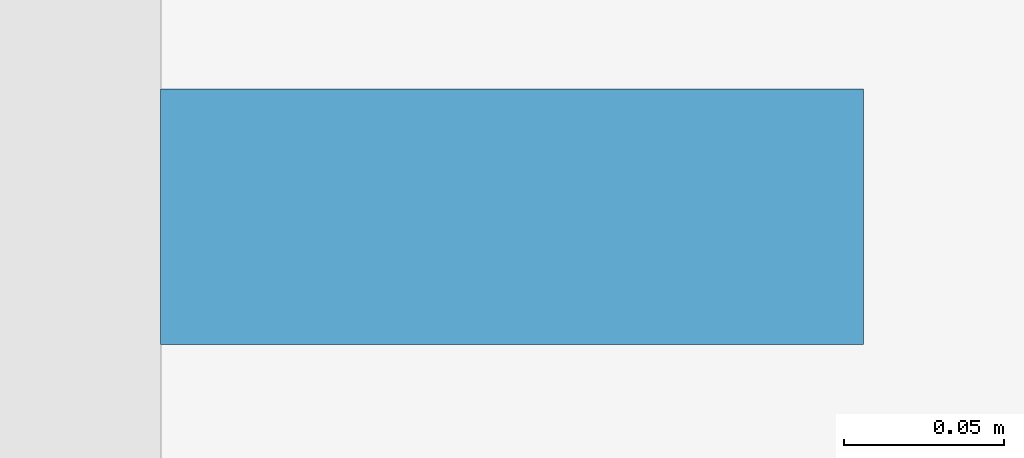
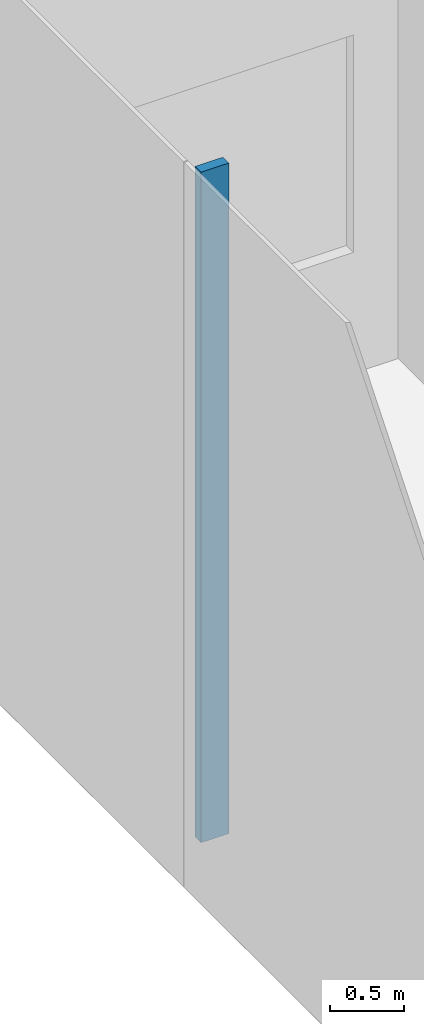
# One storey, part 12 of 33: 1 member, 1 element without a shape of its own.
"""IFC4 building model written with IfcOpenShell, lengths in metres."""

import ifcopenshell
import ifcopenshell.guid

model = None  # the IFC model being written
_history = None  # IfcOwnerHistory: only IFC2X3 demands one
_inside = {}  # id of a spatial element -> (the spatial element, [elements in it])
_under = {}  # id of a project, library or spatial element -> (it, [spatial elements below it])
_declared = {}  # id of a project -> (the project, [libraries it declares])
_typed = {}  # id of a type object -> (the type object, [elements of that type])
_made_of = {}  # id of a material, layer set ... -> (it, [elements and type objects made of it])


def new_model(schema):
    """Start an empty IFC model of exactly this schema.

    Asked for "IFC4X3", IfcOpenShell would pick the latest addendum, in which some entities
    have other attributes; the version numbers below select the first issue.
    IFC2X3 requires an IfcOwnerHistory on every rooted entity: one is made here for all.
    """
    global model, _history
    if schema == "IFC4X3":
        model = ifcopenshell.file(schema_version=(4, 3, 0, 0))
    else:
        model = ifcopenshell.file(schema=schema)
    _inside.clear()
    _under.clear()
    _declared.clear()
    _typed.clear()
    _made_of.clear()
    _history = None
    if model.schema == "IFC2X3":
        org = make("IfcOrganization", Name="unknown")
        user = make(
            "IfcPersonAndOrganization",
            ThePerson=make("IfcPerson", FamilyName="unknown"),
            TheOrganization=org,
        )
        app = make(
            "IfcApplication",
            ApplicationDeveloper=org,
            Version="unknown",
            ApplicationFullName="unknown",
            ApplicationIdentifier="unknown",
        )
        _history = make(
            "IfcOwnerHistory",
            OwningUser=user,
            OwningApplication=app,
            ChangeAction="ADDED",
            CreationDate=0,
        )
    return model


def make(cls, **values):
    """One entity of the class cls with the attributes given. An attribute that is None is left unset."""
    return model.create_entity(
        cls, **{name: value for name, value in values.items() if value is not None}
    )


def rooted(cls, **values):
    """An entity with a GlobalId (a new one), such as an element, a storey or a relation."""
    return make(cls, GlobalId=ifcopenshell.guid.new(), OwnerHistory=_history, **values)


def si_unit(unit_type, name, prefix=None):
    """IfcSIUnit, for example si_unit("LENGTHUNIT", "METRE", prefix="MILLI")."""
    return make("IfcSIUnit", UnitType=unit_type, Prefix=prefix, Name=name)


def assignment(units):
    """IfcUnitAssignment: the units of a project."""
    return None if units is None else make("IfcUnitAssignment", Units=units)


def point(xyz):
    """IfcCartesianPoint."""
    return None if xyz is None else make("IfcCartesianPoint", Coordinates=xyz)


def direction(xyz):
    """IfcDirection."""
    return None if xyz is None else make("IfcDirection", DirectionRatios=xyz)


def frame(location, z_axis=None, x_axis=None):
    """IfcAxis2Placement3D, a coordinate frame: its origin and axes. An axis left out is left unset."""
    return make(
        "IfcAxis2Placement3D",
        Location=point(location),
        Axis=direction(z_axis),
        RefDirection=direction(x_axis),
    )


def frame_2d(location, x_axis=None):
    """IfcAxis2Placement2D, a coordinate frame in the plane: its origin and x axis."""
    return make(
        "IfcAxis2Placement2D", Location=point(location), RefDirection=direction(x_axis)
    )


def origin():
    """The frame at (0, 0, 0) with its axes left unset."""
    return frame((0.0, 0.0, 0.0))


def origin_2d():
    """The frame at (0, 0) in the plane with its x axis left unset."""
    return frame_2d((0.0, 0.0))


def place(relative_to, where):
    """IfcLocalPlacement: puts the frame where relative to a parent placement (None: the world)."""
    return make(
        "IfcLocalPlacement", PlacementRelTo=relative_to, RelativePlacement=where
    )


def context(
    kind, dimensions, precision=None, world=None, true_north=None, identifier=None
):
    """IfcGeometricRepresentationContext, for example the 3D "Model" context."""
    return make(
        "IfcGeometricRepresentationContext",
        ContextIdentifier=identifier,
        ContextType=kind,
        CoordinateSpaceDimension=dimensions,
        Precision=precision,
        WorldCoordinateSystem=world,
        TrueNorth=true_north,
    )


def subcontext(parent, identifier, kind, view, scale=None):
    """IfcGeometricRepresentationSubContext, for example "Body" below "Model"."""
    return make(
        "IfcGeometricRepresentationSubContext",
        ContextIdentifier=identifier,
        ContextType=kind,
        ParentContext=parent,
        TargetScale=scale,
        TargetView=view,
    )


def project(units=None, contexts=None):
    """IfcProject with its units and contexts."""
    return rooted(
        "IfcProject",
        Name="project",
        RepresentationContexts=contexts,
        UnitsInContext=assignment(units),
    )


def spatial(cls, under=None, at=None, **own):
    """A site, building, storey or space (cls), placed at a placement, below another one or the project."""
    s = rooted(cls, ObjectPlacement=at, **own)
    if under is not None:
        _under.setdefault(under.id(), (under, []))[1].append(s)
    return s


def profile(cls, at=None, kind="AREA", **sizes):
    """A parametric profile (cls). Its sizes go by their IFC names, for example OverallWidth=200.0."""
    return make(cls, ProfileType=kind, Position=at, **sizes)


def rectangle(**sizes):
    """IfcRectangleProfileDef."""
    return profile("IfcRectangleProfileDef", **sizes)


def extrude(swept, where, along, depth):
    """IfcExtrudedAreaSolid: the profile swept, set in the frame where, extruded along a direction by depth."""
    return make(
        "IfcExtrudedAreaSolid",
        SweptArea=swept,
        Position=where,
        ExtrudedDirection=direction(along),
        Depth=depth,
    )


def shape(context_of_items, identifier, shape_type, items):
    """IfcShapeRepresentation: the items that make up one representation, for example the "Body"."""
    return make(
        "IfcShapeRepresentation",
        ContextOfItems=context_of_items,
        RepresentationIdentifier=identifier,
        RepresentationType=shape_type,
        Items=items,
    )


def material(Name=None, Category=None):
    """IfcMaterial."""
    return make("IfcMaterial", Name=Name, Category=Category)


def layer(
    of_material, thickness, ventilated=None, Name=None, Category=None, Priority=None
):
    """IfcMaterialLayer: one layer of a wall or slab, of a material (None: an air gap)."""
    return make(
        "IfcMaterialLayer",
        Material=of_material,
        LayerThickness=thickness,
        IsVentilated=ventilated,
        Name=Name,
        Category=Category,
        Priority=Priority,
    )


def layer_set(layers, Name=None):
    """IfcMaterialLayerSet."""
    return make("IfcMaterialLayerSet", MaterialLayers=layers, LayerSetName=Name)


def material_profile(
    of_material, cross_section, Name=None, Category=None, Priority=None
):
    """IfcMaterialProfile: a cross section and its material."""
    return make(
        "IfcMaterialProfile",
        Name=Name,
        Material=of_material,
        Profile=cross_section,
        Priority=Priority,
        Category=Category,
    )


def profile_set(profiles, Name=None, composite=None):
    """IfcMaterialProfileSet."""
    return make(
        "IfcMaterialProfileSet",
        Name=Name,
        MaterialProfiles=profiles,
        CompositeProfile=composite,
    )


def made_of(thing, what):
    """Note that an element or type object is made of a material, layer set ...; save() writes the relation."""
    if what is not None:
        _made_of.setdefault(what.id(), (what, []))[1].append(thing)
    return thing


def type_object(cls, material=None, **own):
    """A type object (cls), such as IfcWallType, which elements share."""
    return made_of(rooted(cls, **own), material)


def element(
    cls,
    number,
    at=None,
    inside=None,
    cuts=None,
    type_object=None,
    material=None,
    context=None,
    identifier="Body",
    shape_type=None,
    held_by="IfcProductDefinitionShape",
    body=None,
    shapes=None,
    **own,
):
    """One element of the class cls, such as IfcWall. Its Tag is "e" and its number.

    at: its placement. inside: the storey or other place that contains it. cuts: it is an
    opening in that element (IfcRelVoidsElement). A single representation is given by context,
    identifier, shape_type and body (its items); several are given by shapes. held_by: the class
    of the entity that holds the representations. save() writes the other relations.
    """
    e = rooted(cls, Tag="e%d" % number, ObjectPlacement=at, **own)
    if body is not None:
        shapes = [shape(context, identifier, shape_type, body)]
    if shapes is not None:
        e.Representation = make(held_by, Representations=shapes)
    if inside is not None:
        _inside.setdefault(inside.id(), (inside, []))[1].append(e)
    if cuts is not None:
        rooted(
            "IfcRelVoidsElement", RelatingBuildingElement=cuts, RelatedOpeningElement=e
        )
    if type_object is not None:
        _typed.setdefault(type_object.id(), (type_object, []))[1].append(e)
    return made_of(e, material)


def aggregate(whole, parts):
    """IfcRelAggregates: a whole, such as a stair, and the parts it consists of."""
    return rooted("IfcRelAggregates", RelatingObject=whole, RelatedObjects=parts)


def save(model, path):
    """Write the relations noted so far, then the file.

    IfcRelAggregates (storeys below a building ...), IfcRelContainedInSpatialStructure (elements
    in a storey), IfcRelDefinesByType, IfcRelAssociatesMaterial and IfcRelDeclares: one each for
    every whole, place, type object, material and project.
    """
    for whole, parts in _under.values():
        aggregate(whole, parts)
    for where, things in _inside.values():
        rooted(
            "IfcRelContainedInSpatialStructure",
            RelatedElements=things,
            RelatingStructure=where,
        )
    for kind, things in _typed.values():
        rooted("IfcRelDefinesByType", RelatedObjects=things, RelatingType=kind)
    for what, things in _made_of.values():
        rooted("IfcRelAssociatesMaterial", RelatedObjects=things, RelatingMaterial=what)
    for by, libraries in _declared.values():
        rooted("IfcRelDeclares", RelatingContext=by, RelatedDefinitions=libraries)
    model.write(path)


model = new_model("IFC4")

# Units and contexts
model_context = context("Model", 3, precision=1e-05, world=origin(), true_north=direction((0.0, 1.0)))
body_context = subcontext(model_context, "Body", "Model", "MODEL_VIEW")
ifc_project = project(units=[si_unit("LENGTHUNIT", "METRE"), si_unit("AREAUNIT", "SQUARE_METRE"), si_unit("VOLUMEUNIT", "CUBIC_METRE"), si_unit("PLANEANGLEUNIT", "RADIAN"), si_unit("MASSUNIT", "GRAM", prefix="KILO")], contexts=[model_context])

# Site, building, storey
site_placement = place(None, origin())
site = spatial("IfcSite", under=ifc_project, at=site_placement, CompositionType="ELEMENT")
building_placement = place(site_placement, origin())
building = spatial("IfcBuilding", under=site, at=building_placement, Name="Shamsa Quay Exchange Towers", CompositionType="ELEMENT")
storey_placement = place(building_placement, frame((0.0, 0.0, 6.5)))
storey = spatial("IfcBuildingStorey", under=building, at=storey_placement, Name="L01", CompositionType="ELEMENT", Elevation=6.5)

# Curtain wall, member
ifc_material = material(Name="Aluminium EN AW-6063 T6, black anodised", Category="aluminium")
ifc_layer = layer(ifc_material, 0.33203125)
ifc_layer_set = layer_set([ifc_layer], Name="CW-3 PODIUM SHOPFRONT GLAZING")
curtain_wall_type = type_object("IfcCurtainWallType", Name="CW-3 PODIUM SHOPFRONT GLAZING", PredefinedType="NOTDEFINED", material=ifc_layer_set)
curtain_wall_placement = place(storey_placement, origin())
curtain_wall = element("IfcCurtainWall", 1, at=curtain_wall_placement, inside=storey, type_object=curtain_wall_type, Name="CW3 PODIUM-L01-F02", PredefinedType="NOTDEFINED")
ifc_material_profile = material_profile(ifc_material, rectangle(XDim=0.219970703125, YDim=0.080078125, at=origin_2d()), Name="MU80x220")
ifc_profile_set = profile_set([ifc_material_profile], Name="Aluminium EN AW-6063 T6, black anodised")
member_type = type_object("IfcMemberType", Name="CW3 MULLION 80x220", PredefinedType="MULLION", material=ifc_profile_set)
member_placement = place(storey_placement, frame((-67.31005859375, 29.25, 0.0)))
member = element("IfcMember", 2, at=member_placement, type_object=member_type, Name="CW3 mullion", PredefinedType="MULLION", context=body_context, shape_type="SweptSolid", body=[
    extrude(rectangle(XDim=0.219970703125, YDim=0.080078125, at=origin_2d()), origin(), (0.0, 0.0, 1.0), 5.550048828125),
])
aggregate(curtain_wall, [member])

save(model, "model.ifc")
